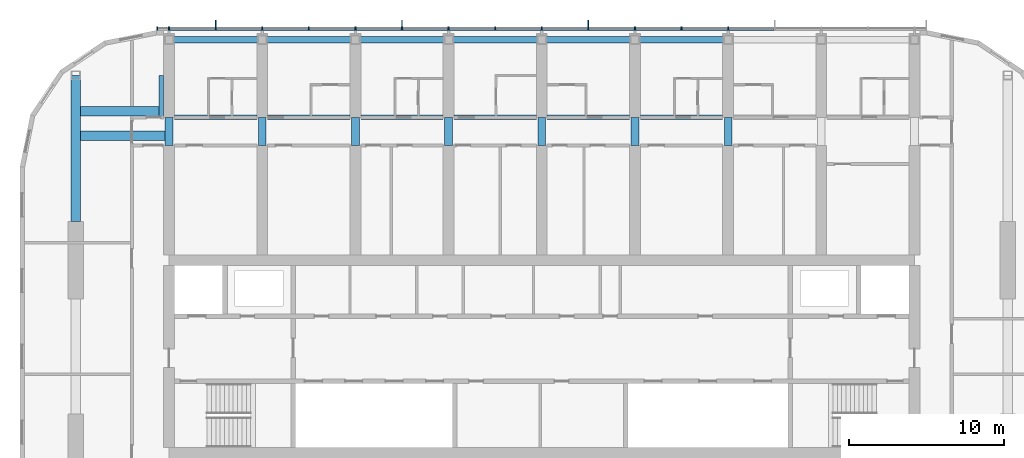
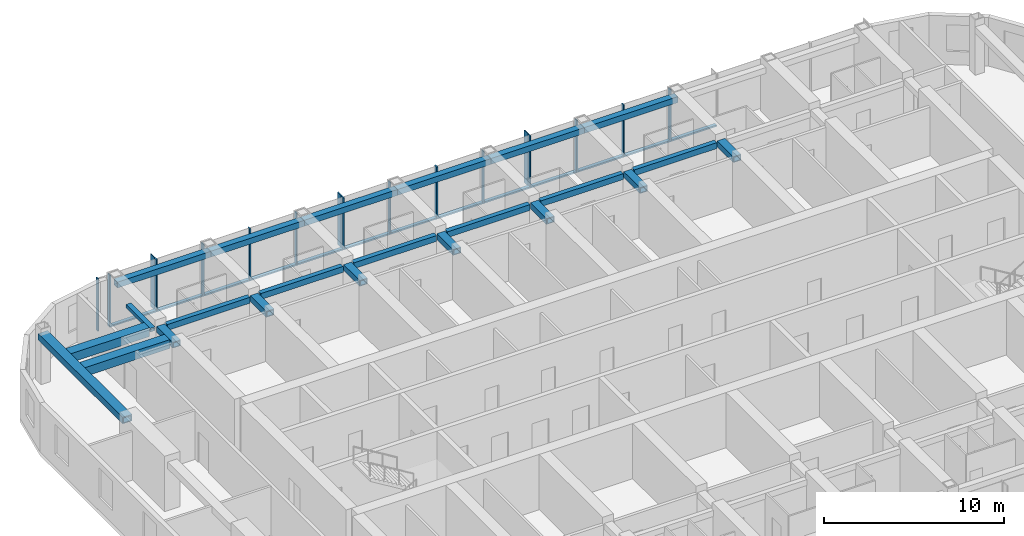
# One storey, part 4 of 23: 30 members, 23 beams, 1 element without a shape of its own.
"""IFC4 building model written with IfcOpenShell, lengths in metres."""

from ifc_helpers import new_model, si_unit, direction, frame, origin, origin_2d, place, context, subcontext, project, spatial, rectangle, hollow_rectangle, extrude, material, material_profile, profile_set, type_object, element, aggregate, save


model = new_model("IFC4")

# Units and contexts
model_context = context("Model", 3, precision=1e-05, world=origin(), true_north=direction((0.0, 1.0)))
body_context = subcontext(model_context, "Body", "Model", "MODEL_VIEW")
ifc_project = project(units=[si_unit("LENGTHUNIT", "METRE"), si_unit("AREAUNIT", "SQUARE_METRE"), si_unit("VOLUMEUNIT", "CUBIC_METRE"), si_unit("PLANEANGLEUNIT", "RADIAN"), si_unit("MASSUNIT", "GRAM", prefix="KILO")], contexts=[model_context])

# Site, building, storey
site_placement = place(None, origin())
site = spatial("IfcSite", under=ifc_project, at=site_placement, CompositionType="ELEMENT")
building_placement = place(site_placement, origin())
building = spatial("IfcBuilding", under=site, at=building_placement, Name="Orbita Commons", CompositionType="ELEMENT")
storey_placement = place(building_placement, frame((0.0, 0.0, 227.800048828125)))
storey = spatial("IfcBuildingStorey", under=building, at=storey_placement, Name="L56", CompositionType="ELEMENT", Elevation=227.800048828125)

# Curtain wall, members
ifc_material_1 = material(Name="Anodised aluminium frame, pale silver", Category="aluminium")
curtain_wall_type = type_object("IfcCurtainWallType", Name="Unitised curtain wall CW-U, full-height vision", PredefinedType="NOTDEFINED", material=ifc_material_1)
curtain_wall_placement = place(storey_placement, origin())
curtain_wall = element("IfcCurtainWall", 1, at=curtain_wall_placement, inside=storey, type_object=curtain_wall_type, Name="Curtain wall north L56", PredefinedType="NOTDEFINED")
ifc_material_2 = material(Name="Anodised aluminium, pale silver", Category="aluminium")
ifc_material_profile_1 = material_profile(ifc_material_2, rectangle(XDim=0.080078125, YDim=0.219970703125, at=origin_2d()), Name="AL 80x220")
ifc_profile_set_1 = profile_set([ifc_material_profile_1], Name="Anodised aluminium, pale silver")
member_type_1 = type_object("IfcMemberType", Name="Curtain wall mullion 80x220", PredefinedType="MULLION", material=ifc_profile_set_1)
member_1_placement = place(storey_placement, frame((54.0, 53.110107421875, -0.25), z_axis=(0.0, 0.0, 1.0), x_axis=(-1.0, 0.0, 0.0)))
member_1 = element("IfcMember", 2, at=member_1_placement, type_object=member_type_1, Name="Mullion 6 CW-L56-N", PredefinedType="MULLION", context=body_context, shape_type="SweptSolid", body=[
    extrude(rectangle(XDim=0.080078125, YDim=0.219970703125, at=origin_2d()), origin(), (0.0, 0.0, 1.0), 3.550048828125),
])
member_2_placement = place(storey_placement, frame((51.0, 53.110107421875, -0.25), z_axis=(0.0, 0.0, 1.0), x_axis=(-1.0, 0.0, 0.0)))
member_2 = element("IfcMember", 3, at=member_2_placement, type_object=member_type_1, Name="Mullion 7 CW-L56-N", PredefinedType="MULLION", context=body_context, shape_type="SweptSolid", body=[
    extrude(rectangle(XDim=0.080078125, YDim=0.219970703125, at=origin_2d()), origin(), (0.0, 0.0, 1.0), 3.550048828125),
])
member_3_placement = place(storey_placement, frame((48.0, 53.110107421875, -0.25), z_axis=(0.0, 0.0, 1.0), x_axis=(-1.0, 0.0, 0.0)))
member_3 = element("IfcMember", 4, at=member_3_placement, type_object=member_type_1, Name="Mullion 8 CW-L56-N", PredefinedType="MULLION", context=body_context, shape_type="SweptSolid", body=[
    extrude(rectangle(XDim=0.080078125, YDim=0.219970703125, at=origin_2d()), origin(), (0.0, 0.0, 1.0), 3.550048828125),
])
member_4_placement = place(storey_placement, frame((45.0, 53.110107421875, -0.25), z_axis=(0.0, 0.0, 1.0), x_axis=(-1.0, 0.0, 0.0)))
member_4 = element("IfcMember", 5, at=member_4_placement, type_object=member_type_1, Name="Mullion 9 CW-L56-N", PredefinedType="MULLION", context=body_context, shape_type="SweptSolid", body=[
    extrude(rectangle(XDim=0.080078125, YDim=0.219970703125, at=origin_2d()), origin(), (0.0, 0.0, 1.0), 3.550048828125),
])
member_5_placement = place(storey_placement, frame((42.0, 53.110107421875, -0.25), z_axis=(0.0, 0.0, 1.0), x_axis=(-1.0, 0.0, 0.0)))
member_5 = element("IfcMember", 6, at=member_5_placement, type_object=member_type_1, Name="Mullion 10 CW-L56-N", PredefinedType="MULLION", context=body_context, shape_type="SweptSolid", body=[
    extrude(rectangle(XDim=0.080078125, YDim=0.219970703125, at=origin_2d()), origin(), (0.0, 0.0, 1.0), 3.550048828125),
])
member_6_placement = place(storey_placement, frame((39.0, 53.110107421875, -0.25), z_axis=(0.0, 0.0, 1.0), x_axis=(-1.0, 0.0, 0.0)))
member_6 = element("IfcMember", 7, at=member_6_placement, type_object=member_type_1, Name="Mullion 11 CW-L56-N", PredefinedType="MULLION", context=body_context, shape_type="SweptSolid", body=[
    extrude(rectangle(XDim=0.080078125, YDim=0.219970703125, at=origin_2d()), origin(), (0.0, 0.0, 1.0), 3.550048828125),
])
member_7_placement = place(storey_placement, frame((36.0, 53.110107421875, -0.25), z_axis=(0.0, 0.0, 1.0), x_axis=(-1.0, 0.0, 0.0)))
member_7 = element("IfcMember", 8, at=member_7_placement, type_object=member_type_1, Name="Mullion 12 CW-L56-N", PredefinedType="MULLION", context=body_context, shape_type="SweptSolid", body=[
    extrude(rectangle(XDim=0.080078125, YDim=0.219970703125, at=origin_2d()), origin(), (0.0, 0.0, 1.0), 3.550048828125),
])
member_8_placement = place(storey_placement, frame((33.0, 53.110107421875, -0.25), z_axis=(0.0, 0.0, 1.0), x_axis=(-1.0, 0.0, 0.0)))
member_8 = element("IfcMember", 9, at=member_8_placement, type_object=member_type_1, Name="Mullion 13 CW-L56-N", PredefinedType="MULLION", context=body_context, shape_type="SweptSolid", body=[
    extrude(rectangle(XDim=0.080078125, YDim=0.219970703125, at=origin_2d()), origin(), (0.0, 0.0, 1.0), 3.550048828125),
])
member_9_placement = place(storey_placement, frame((30.0, 53.110107421875, -0.25), z_axis=(0.0, 0.0, 1.0), x_axis=(-1.0, 0.0, 0.0)))
member_9 = element("IfcMember", 10, at=member_9_placement, type_object=member_type_1, Name="Mullion 14 CW-L56-N", PredefinedType="MULLION", context=body_context, shape_type="SweptSolid", body=[
    extrude(rectangle(XDim=0.080078125, YDim=0.219970703125, at=origin_2d()), origin(), (0.0, 0.0, 1.0), 3.550048828125),
])
member_10_placement = place(storey_placement, frame((27.0, 53.110107421875, -0.25), z_axis=(0.0, 0.0, 1.0), x_axis=(-1.0, 0.0, 0.0)))
member_10 = element("IfcMember", 11, at=member_10_placement, type_object=member_type_1, Name="Mullion 15 CW-L56-N", PredefinedType="MULLION", context=body_context, shape_type="SweptSolid", body=[
    extrude(rectangle(XDim=0.080078125, YDim=0.219970703125, at=origin_2d()), origin(), (0.0, 0.0, 1.0), 3.550048828125),
])
member_11_placement = place(storey_placement, frame((24.0, 53.110107421875, -0.25), z_axis=(0.0, 0.0, 1.0), x_axis=(-1.0, 0.0, 0.0)))
member_11 = element("IfcMember", 12, at=member_11_placement, type_object=member_type_1, Name="Mullion 16 CW-L56-N", PredefinedType="MULLION", context=body_context, shape_type="SweptSolid", body=[
    extrude(rectangle(XDim=0.080078125, YDim=0.219970703125, at=origin_2d()), origin(), (0.0, 0.0, 1.0), 3.550048828125),
])
member_12_placement = place(storey_placement, frame((21.0, 53.110107421875, -0.25), z_axis=(0.0, 0.0, 1.0), x_axis=(-1.0, 0.0, 0.0)))
member_12 = element("IfcMember", 13, at=member_12_placement, type_object=member_type_1, Name="Mullion 17 CW-L56-N", PredefinedType="MULLION", context=body_context, shape_type="SweptSolid", body=[
    extrude(rectangle(XDim=0.080078125, YDim=0.219970703125, at=origin_2d()), origin(), (0.0, 0.0, 1.0), 3.550048828125),
])
member_13_placement = place(storey_placement, frame((18.0, 53.110107421875, -0.25), z_axis=(0.0, 0.0, 1.0), x_axis=(-1.0, 0.0, 0.0)))
member_13 = element("IfcMember", 14, at=member_13_placement, type_object=member_type_1, Name="Mullion 18 CW-L56-N", PredefinedType="MULLION", context=body_context, shape_type="SweptSolid", body=[
    extrude(rectangle(XDim=0.080078125, YDim=0.219970703125, at=origin_2d()), origin(), (0.0, 0.0, 1.0), 3.550048828125),
])
member_14_placement = place(storey_placement, frame((17.239990234375, 53.110107421875, -0.25), z_axis=(0.0, 0.0, 1.0), x_axis=(-1.0, 0.0, 0.0)))
member_14 = element("IfcMember", 15, at=member_14_placement, type_object=member_type_1, Name="Mullion 19 CW-L56-N", PredefinedType="MULLION", context=body_context, shape_type="SweptSolid", body=[
    extrude(rectangle(XDim=0.080078125, YDim=0.219970703125, at=origin_2d()), origin(), (0.0, 0.0, 1.0), 3.550048828125),
])
ifc_material_3 = material(Name="Anodised aluminium, pale silver", Category="aluminium")
ifc_material_profile_2 = material_profile(ifc_material_3, rectangle(XDim=0.219970703125, YDim=0.10009765625, at=origin_2d()), Name="AL 220x100")
ifc_profile_set_2 = profile_set([ifc_material_profile_2], Name="Anodised aluminium, pale silver")
member_type_2 = type_object("IfcMemberType", Name="Curtain wall stack transom 220x100", PredefinedType="USERDEFINED", material=ifc_profile_set_2)
member_15_placement = place(storey_placement, frame((56.9599609375, 53.110107421875, -0.199951171875), z_axis=(-1.0, 0.0, 0.0), x_axis=(0.0, -1.0, 0.0)))
member_15 = element("IfcMember", 16, at=member_15_placement, type_object=member_type_2, Name="Transom 5.1 CW-L56-N", ObjectType="TRANSOM", PredefinedType="USERDEFINED", context=body_context, shape_type="SweptSolid", body=[
    extrude(rectangle(XDim=0.219970703125, YDim=0.10009765625, at=origin_2d()), origin(), (0.0, 0.0, 1.0), 2.919921875),
])
member_16_placement = place(storey_placement, frame((53.9599609375, 53.110107421875, -0.199951171875), z_axis=(-1.0, 0.0, 0.0), x_axis=(0.0, -1.0, 0.0)))
member_16 = element("IfcMember", 17, at=member_16_placement, type_object=member_type_2, Name="Transom 6.1 CW-L56-N", ObjectType="TRANSOM", PredefinedType="USERDEFINED", context=body_context, shape_type="SweptSolid", body=[
    extrude(rectangle(XDim=0.219970703125, YDim=0.10009765625, at=origin_2d()), origin(), (0.0, 0.0, 1.0), 2.919921875),
])
member_17_placement = place(storey_placement, frame((50.9599609375, 53.110107421875, -0.199951171875), z_axis=(-1.0, 0.0, 0.0), x_axis=(0.0, -1.0, 0.0)))
member_17 = element("IfcMember", 18, at=member_17_placement, type_object=member_type_2, Name="Transom 7.1 CW-L56-N", ObjectType="TRANSOM", PredefinedType="USERDEFINED", context=body_context, shape_type="SweptSolid", body=[
    extrude(rectangle(XDim=0.219970703125, YDim=0.10009765625, at=origin_2d()), origin(), (0.0, 0.0, 1.0), 2.919921875),
])
member_18_placement = place(storey_placement, frame((47.9599609375, 53.110107421875, -0.199951171875), z_axis=(-1.0, 0.0, 0.0), x_axis=(0.0, -1.0, 0.0)))
member_18 = element("IfcMember", 19, at=member_18_placement, type_object=member_type_2, Name="Transom 8.1 CW-L56-N", ObjectType="TRANSOM", PredefinedType="USERDEFINED", context=body_context, shape_type="SweptSolid", body=[
    extrude(rectangle(XDim=0.219970703125, YDim=0.10009765625, at=origin_2d()), origin(), (0.0, 0.0, 1.0), 2.919921875),
])
member_19_placement = place(storey_placement, frame((44.9599609375, 53.110107421875, -0.199951171875), z_axis=(-1.0, 0.0, 0.0), x_axis=(0.0, -1.0, 0.0)))
member_19 = element("IfcMember", 20, at=member_19_placement, type_object=member_type_2, Name="Transom 9.1 CW-L56-N", ObjectType="TRANSOM", PredefinedType="USERDEFINED", context=body_context, shape_type="SweptSolid", body=[
    extrude(rectangle(XDim=0.219970703125, YDim=0.10009765625, at=origin_2d()), origin(), (0.0, 0.0, 1.0), 2.919921875),
])
member_20_placement = place(storey_placement, frame((41.9599609375, 53.110107421875, -0.199951171875), z_axis=(-1.0, 0.0, 0.0), x_axis=(0.0, -1.0, 0.0)))
member_20 = element("IfcMember", 21, at=member_20_placement, type_object=member_type_2, Name="Transom 10.1 CW-L56-N", ObjectType="TRANSOM", PredefinedType="USERDEFINED", context=body_context, shape_type="SweptSolid", body=[
    extrude(rectangle(XDim=0.219970703125, YDim=0.10009765625, at=origin_2d()), origin(), (0.0, 0.0, 1.0), 2.919921875),
])
member_21_placement = place(storey_placement, frame((38.9599609375, 53.110107421875, -0.199951171875), z_axis=(-1.0, 0.0, 0.0), x_axis=(0.0, -1.0, 0.0)))
member_21 = element("IfcMember", 22, at=member_21_placement, type_object=member_type_2, Name="Transom 11.1 CW-L56-N", ObjectType="TRANSOM", PredefinedType="USERDEFINED", context=body_context, shape_type="SweptSolid", body=[
    extrude(rectangle(XDim=0.219970703125, YDim=0.10009765625, at=origin_2d()), origin(), (0.0, 0.0, 1.0), 2.919921875),
])
member_22_placement = place(storey_placement, frame((35.9599609375, 53.110107421875, -0.199951171875), z_axis=(-1.0, 0.0, 0.0), x_axis=(0.0, -1.0, 0.0)))
member_22 = element("IfcMember", 23, at=member_22_placement, type_object=member_type_2, Name="Transom 12.1 CW-L56-N", ObjectType="TRANSOM", PredefinedType="USERDEFINED", context=body_context, shape_type="SweptSolid", body=[
    extrude(rectangle(XDim=0.219970703125, YDim=0.10009765625, at=origin_2d()), origin(), (0.0, 0.0, 1.0), 2.919921875),
])
member_23_placement = place(storey_placement, frame((32.9599609375, 53.110107421875, -0.199951171875), z_axis=(-1.0, 0.0, 0.0), x_axis=(0.0, -1.0, 0.0)))
member_23 = element("IfcMember", 24, at=member_23_placement, type_object=member_type_2, Name="Transom 13.1 CW-L56-N", ObjectType="TRANSOM", PredefinedType="USERDEFINED", context=body_context, shape_type="SweptSolid", body=[
    extrude(rectangle(XDim=0.219970703125, YDim=0.10009765625, at=origin_2d()), origin(), (0.0, 0.0, 1.0), 2.919921875),
])
member_24_placement = place(storey_placement, frame((29.9599609375, 53.110107421875, -0.199951171875), z_axis=(-1.0, 0.0, 0.0), x_axis=(0.0, -1.0, 0.0)))
member_24 = element("IfcMember", 25, at=member_24_placement, type_object=member_type_2, Name="Transom 14.1 CW-L56-N", ObjectType="TRANSOM", PredefinedType="USERDEFINED", context=body_context, shape_type="SweptSolid", body=[
    extrude(rectangle(XDim=0.219970703125, YDim=0.10009765625, at=origin_2d()), origin(), (0.0, 0.0, 1.0), 2.919921875),
])
member_25_placement = place(storey_placement, frame((26.9599609375, 53.110107421875, -0.199951171875), z_axis=(-1.0, 0.0, 0.0), x_axis=(0.0, -1.0, 0.0)))
member_25 = element("IfcMember", 26, at=member_25_placement, type_object=member_type_2, Name="Transom 15.1 CW-L56-N", ObjectType="TRANSOM", PredefinedType="USERDEFINED", context=body_context, shape_type="SweptSolid", body=[
    extrude(rectangle(XDim=0.219970703125, YDim=0.10009765625, at=origin_2d()), origin(), (0.0, 0.0, 1.0), 2.919921875),
])
member_26_placement = place(storey_placement, frame((23.9599609375, 53.110107421875, -0.199951171875), z_axis=(-1.0, 0.0, 0.0), x_axis=(0.0, -1.0, 0.0)))
member_26 = element("IfcMember", 27, at=member_26_placement, type_object=member_type_2, Name="Transom 16.1 CW-L56-N", ObjectType="TRANSOM", PredefinedType="USERDEFINED", context=body_context, shape_type="SweptSolid", body=[
    extrude(rectangle(XDim=0.219970703125, YDim=0.10009765625, at=origin_2d()), origin(), (0.0, 0.0, 1.0), 2.919921875),
])
member_27_placement = place(storey_placement, frame((20.9599609375, 53.110107421875, -0.199951171875), z_axis=(-1.0, 0.0, 0.0), x_axis=(0.0, -1.0, 0.0)))
member_27 = element("IfcMember", 28, at=member_27_placement, type_object=member_type_2, Name="Transom 17.1 CW-L56-N", ObjectType="TRANSOM", PredefinedType="USERDEFINED", context=body_context, shape_type="SweptSolid", body=[
    extrude(rectangle(XDim=0.219970703125, YDim=0.10009765625, at=origin_2d()), origin(), (0.0, 0.0, 1.0), 2.919921875),
])

# Beams
ifc_material_4 = material(Name="Steel ASTM A572 Gr 50 welded plate", Category="steel")
ifc_material_profile_3 = material_profile(ifc_material_4, hollow_rectangle(XDim=0.60009765625, YDim=0.60009765625, WallThickness=0.06005859375, at=origin_2d()), Name="BOX 600x600x60")
ifc_profile_set_3 = profile_set([ifc_material_profile_3], Name="Steel ASTM A572 Gr 50 welded plate")
beam_type_1 = type_object("IfcBeamType", Name="Stair trimmer beam BOX 600x600x60", PredefinedType="BEAM", material=ifc_profile_set_3)
beam_1_placement = place(storey_placement, frame((12.300048828125, 46.22509765625, 3.0), z_axis=(1.0, 0.0, 0.0), x_axis=(0.0, 1.0, 0.0)))
element("IfcBeam", 29, at=beam_1_placement, inside=storey, type_object=beam_type_1, Name="Neighbourhood stair L57 to L58 transfer beam 1", PredefinedType="BEAM", context=body_context, shape_type="SweptSolid", body=[
    extrude(hollow_rectangle(XDim=0.60009765625, YDim=0.60009765625, WallThickness=0.06005859375, at=origin_2d()), origin(), (0.0, 0.0, 1.0), 5.449951171875),
])
beam_2_placement = place(storey_placement, frame((12.300048828125, 47.784912109375, 3.0), z_axis=(1.0, 0.0, 0.0), x_axis=(0.0, 1.0, 0.0)))
element("IfcBeam", 30, at=beam_2_placement, inside=storey, type_object=beam_type_1, Name="Neighbourhood stair L57 to L58 transfer beam 2", PredefinedType="BEAM", context=body_context, shape_type="SweptSolid", body=[
    extrude(hollow_rectangle(XDim=0.60009765625, YDim=0.60009765625, WallThickness=0.06005859375, at=origin_2d()), origin(), (0.0, 0.0, 1.0), 5.050048828125),
])
ifc_material_5 = material(Name="Steel ASTM A572 Gr 50 welded plate", Category="steel")
ifc_material_profile_4 = material_profile(ifc_material_5, hollow_rectangle(XDim=0.300048828125, YDim=0.39990234375, WallThickness=0.0400390625, at=origin_2d()), Name="BOX 400x300x40")
ifc_profile_set_4 = profile_set([ifc_material_profile_4], Name="Steel ASTM A572 Gr 50 welded plate")
beam_type_2 = type_object("IfcBeamType", Name="Steel corridor link BOX 400x300x40", PredefinedType="BEAM", material=ifc_profile_set_4)
for number, where, z_axis, x_axis, name in (
    (31, (18.35009765625, 47.39990234375, 3.099853515625), (1.0, 0.0, 0.0), (0.0, 1.0, 0.0), "Corridor beam NB 4-5 L56"),
    (32, (24.35009765625, 47.39990234375, 3.099853515625), (1.0, 0.0, 0.0), (0.0, 1.0, 0.0), "Corridor beam NB 5-6 L56"),
    (33, (30.35009765625, 47.39990234375, 3.099853515625), (1.0, 0.0, 0.0), (0.0, 1.0, 0.0), "Corridor beam NB 6-7 L56"),
    (34, (36.35009765625, 47.39990234375, 3.099853515625), (1.0, 0.0, 0.0), (0.0, 1.0, 0.0), "Corridor beam NB 7-8 L56"),
    (35, (42.35009765625, 47.39990234375, 3.099853515625), (1.0, 0.0, 0.0), (0.0, 1.0, 0.0), "Corridor beam NB 8-9 L56"),
    (36, (48.35009765625, 47.39990234375, 3.099853515625), (1.0, 0.0, 0.0), (0.0, 1.0, 0.0), "Corridor beam NB 9-10 L56"),
):
    element("IfcBeam", number, at=place(storey_placement, frame(where, z_axis=z_axis, x_axis=x_axis)), inside=storey, type_object=beam_type_2, Name=name, PredefinedType="BEAM", context=body_context, shape_type="SweptSolid", body=[
        extrude(hollow_rectangle(XDim=0.300048828125, YDim=0.39990234375, WallThickness=0.0400390625, at=origin_2d()), origin(), (0.0, 0.0, 1.0), 5.2998046875),
    ])
ifc_material_6 = material(Name="Steel ASTM A572 Gr 50 welded plate", Category="steel")
ifc_material_profile_5 = material_profile(ifc_material_6, hollow_rectangle(XDim=0.5, YDim=0.39990234375, WallThickness=0.050048828125, at=origin_2d()), Name="BOX 400x500x50")
ifc_profile_set_5 = profile_set([ifc_material_profile_5], Name="Steel ASTM A572 Gr 50 welded plate")
beam_type_3 = type_object("IfcBeamType", Name="Steel coupling link BOX 400x500x50", PredefinedType="LINTEL", material=ifc_profile_set_5)
for number, where, z_axis, x_axis, name in (
    (37, (18.0, 45.60009765625, 3.099853515625), (0.0, 1.0, 0.0), (-1.0, 0.0, 0.0), "Coupling beam 4 north L56"),
    (38, (24.0, 45.60009765625, 3.099853515625), (0.0, 1.0, 0.0), (-1.0, 0.0, 0.0), "Coupling beam 5 north L56"),
    (39, (30.0, 45.60009765625, 3.099853515625), (0.0, 1.0, 0.0), (-1.0, 0.0, 0.0), "Coupling beam 6 north L56"),
    (40, (36.0, 45.60009765625, 3.099853515625), (0.0, 1.0, 0.0), (-1.0, 0.0, 0.0), "Coupling beam 7 north L56"),
    (41, (42.0, 45.60009765625, 3.099853515625), (0.0, 1.0, 0.0), (-1.0, 0.0, 0.0), "Coupling beam 8 north L56"),
    (42, (48.0, 45.60009765625, 3.099853515625), (0.0, 1.0, 0.0), (-1.0, 0.0, 0.0), "Coupling beam 9 north L56"),
    (43, (54.0, 45.60009765625, 3.099853515625), (0.0, 1.0, 0.0), (-1.0, 0.0, 0.0), "Coupling beam 10 north L56"),
):
    element("IfcBeam", number, at=place(storey_placement, frame(where, z_axis=z_axis, x_axis=x_axis)), inside=storey, type_object=beam_type_3, Name=name, PredefinedType="LINTEL", context=body_context, shape_type="SweptSolid", body=[
        extrude(hollow_rectangle(XDim=0.5, YDim=0.39990234375, WallThickness=0.050048828125, at=origin_2d()), origin(), (0.0, 0.0, 1.0), 1.7998046875),
    ])
ifc_material_7 = material(Name="Steel ASTM A572 Gr 50 welded plate", Category="steel")
ifc_material_profile_6 = material_profile(ifc_material_7, hollow_rectangle(XDim=0.60009765625, YDim=0.449951171875, WallThickness=0.06005859375, at=origin_2d()), Name="BOX 450x600x60")
ifc_profile_set_6 = profile_set([ifc_material_profile_6], Name="Steel ASTM A572 Gr 50 welded plate")
beam_type_4 = type_object("IfcBeamType", Name="Steel end frame link BOX 450x600x60", PredefinedType="BEAM", material=ifc_profile_set_6)
beam_3_placement = place(storey_placement, frame((12.0, 40.699951171875, 3.074951171875), z_axis=(0.0, 1.0, 0.0), x_axis=(-1.0, 0.0, 0.0)))
element("IfcBeam", 44, at=beam_3_placement, inside=storey, type_object=beam_type_4, Name="End frame beam 3 D-E L56", PredefinedType="BEAM", context=body_context, shape_type="SweptSolid", body=[
    extrude(hollow_rectangle(XDim=0.60009765625, YDim=0.449951171875, WallThickness=0.06005859375, at=origin_2d()), origin(), (0.0, 0.0, 1.0), 9.400146484375),
])
ifc_material_8 = material(Name="Steel ASTM A572 Gr 50 welded plate", Category="steel")
ifc_material_profile_7 = material_profile(ifc_material_8, hollow_rectangle(XDim=0.39990234375, YDim=0.39990234375, WallThickness=0.0400390625, at=origin_2d()), Name="BOX 400x400x40")
ifc_profile_set_7 = profile_set([ifc_material_profile_7], Name="Steel ASTM A572 Gr 50 welded plate")
beam_type_5 = type_object("IfcBeamType", Name="Steel spandrel BOX 400x400x40", PredefinedType="SPANDREL", material=ifc_profile_set_7)
for number, where, z_axis, x_axis, name in (
    (45, (18.0, 52.39990234375, 3.099853515625), (1.0, 0.0, 0.0), (0.0, 1.0, 0.0), "Spandrel beam E 4-5 L56"),
    (46, (24.0, 52.39990234375, 3.099853515625), (1.0, 0.0, 0.0), (0.0, 1.0, 0.0), "Spandrel beam E 5-6 L56"),
    (47, (30.0, 52.39990234375, 3.099853515625), (1.0, 0.0, 0.0), (0.0, 1.0, 0.0), "Spandrel beam E 6-7 L56"),
    (48, (36.0, 52.39990234375, 3.099853515625), (1.0, 0.0, 0.0), (0.0, 1.0, 0.0), "Spandrel beam E 7-8 L56"),
    (49, (42.0, 52.39990234375, 3.099853515625), (1.0, 0.0, 0.0), (0.0, 1.0, 0.0), "Spandrel beam E 8-9 L56"),
    (50, (48.0, 52.39990234375, 3.099853515625), (1.0, 0.0, 0.0), (0.0, 1.0, 0.0), "Spandrel beam E 9-10 L56"),
):
    element("IfcBeam", number, at=place(storey_placement, frame(where, z_axis=z_axis, x_axis=x_axis)), inside=storey, type_object=beam_type_5, Name=name, PredefinedType="SPANDREL", context=body_context, shape_type="SweptSolid", body=[
        extrude(hollow_rectangle(XDim=0.39990234375, YDim=0.39990234375, WallThickness=0.0400390625, at=origin_2d()), origin(), (0.0, 0.0, 1.0), 6.0),
    ])
ifc_material_9 = material(Name="Steel ASTM A572 Gr 50 welded plate", Category="steel")
ifc_material_profile_8 = material_profile(ifc_material_9, hollow_rectangle(XDim=0.300048828125, YDim=0.25, WallThickness=0.02490234375, at=origin_2d()), Name="BOX 250x300x25")
ifc_profile_set_8 = profile_set([ifc_material_profile_8], Name="Steel ASTM A572 Gr 50 welded plate")
beam_type_6 = type_object("IfcBeamType", Name="Trimmer ledger beam BOX 250x300x25", PredefinedType="BEAM", material=ifc_profile_set_8)
beam_4_placement = place(storey_placement, frame((17.5, 47.39990234375, 3.175048828125), z_axis=(0.0, 1.0, 0.0), x_axis=(-1.0, 0.0, 0.0)))
element("IfcBeam", 51, at=beam_4_placement, inside=storey, type_object=beam_type_6, Name="Neighbourhood stair L57 to L58 trimmer ledger 2E", PredefinedType="BEAM", context=body_context, shape_type="SweptSolid", body=[
    extrude(hollow_rectangle(XDim=0.300048828125, YDim=0.25, WallThickness=0.02490234375, at=origin_2d()), origin(), (0.0, 0.0, 1.0), 2.7001953125),
])

# Member
ifc_material_10 = material(Name="Anodised aluminium, pale silver", Category="aluminium")
ifc_material_profile_9 = material_profile(ifc_material_10, rectangle(XDim=0.06005859375, YDim=0.449951171875, at=origin_2d()), Name="FIN 60x450")
ifc_profile_set_9 = profile_set([ifc_material_profile_9], Name="Anodised aluminium, pale silver")
member_type_3 = type_object("IfcMemberType", Name="Vertical fin 60x450 pale aluminium", PredefinedType="USERDEFINED", material=ifc_profile_set_9)
member_28_placement = place(storey_placement, frame((45.0, 53.445068359375, -0.25), z_axis=(0.0, 0.0, 1.0), x_axis=(-1.0, 0.0, 0.0)))
member_28 = element("IfcMember", 52, at=member_28_placement, type_object=member_type_3, Name="Fin 9 CW-L56-N", ObjectType="FIN", PredefinedType="USERDEFINED", context=body_context, shape_type="SweptSolid", body=[
    extrude(rectangle(XDim=0.06005859375, YDim=0.449951171875, at=origin_2d()), origin(), (0.0, 0.0, 1.0), 3.550048828125),
])

member_29_placement = place(storey_placement, frame((33.0, 53.445068359375, -0.25), z_axis=(0.0, 0.0, 1.0), x_axis=(-1.0, 0.0, 0.0)))
member_29 = element("IfcMember", 53, at=member_29_placement, type_object=member_type_3, Name="Fin 13 CW-L56-N", ObjectType="FIN", PredefinedType="USERDEFINED", context=body_context, shape_type="SweptSolid", body=[
    extrude(rectangle(XDim=0.06005859375, YDim=0.449951171875, at=origin_2d()), origin(), (0.0, 0.0, 1.0), 3.550048828125),
])

member_30_placement = place(storey_placement, frame((21.0, 53.445068359375, -0.25), z_axis=(0.0, 0.0, 1.0), x_axis=(-1.0, 0.0, 0.0)))
member_30 = element("IfcMember", 54, at=member_30_placement, type_object=member_type_3, Name="Fin 17 CW-L56-N", ObjectType="FIN", PredefinedType="USERDEFINED", context=body_context, shape_type="SweptSolid", body=[
    extrude(rectangle(XDim=0.06005859375, YDim=0.449951171875, at=origin_2d()), origin(), (0.0, 0.0, 1.0), 3.550048828125),
])

aggregate(curtain_wall, [member_1, member_2, member_3, member_4, member_28, member_5, member_6, member_7, member_8, member_29, member_9, member_10, member_11, member_12, member_30, member_13, member_14, member_15, member_16, member_17, member_18, member_19, member_20, member_21, member_22, member_23, member_24, member_25, member_26, member_27])

save(model, "model.ifc")
